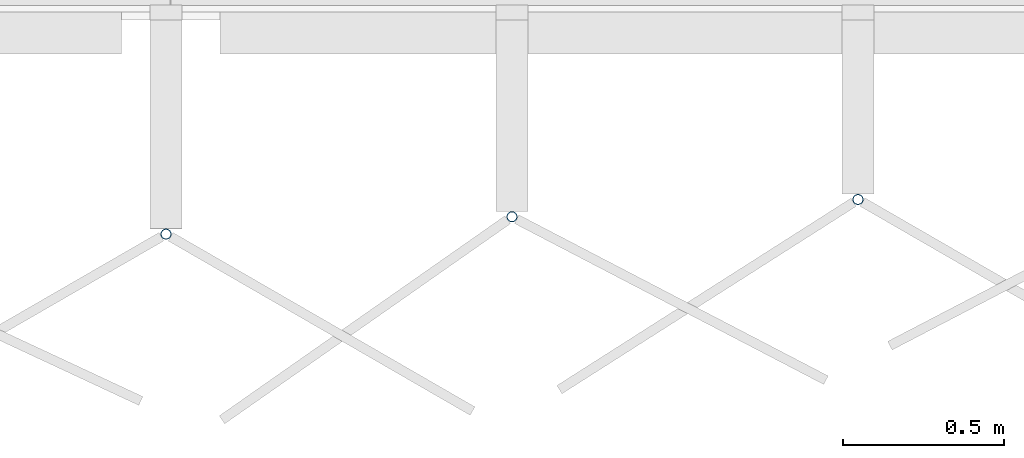
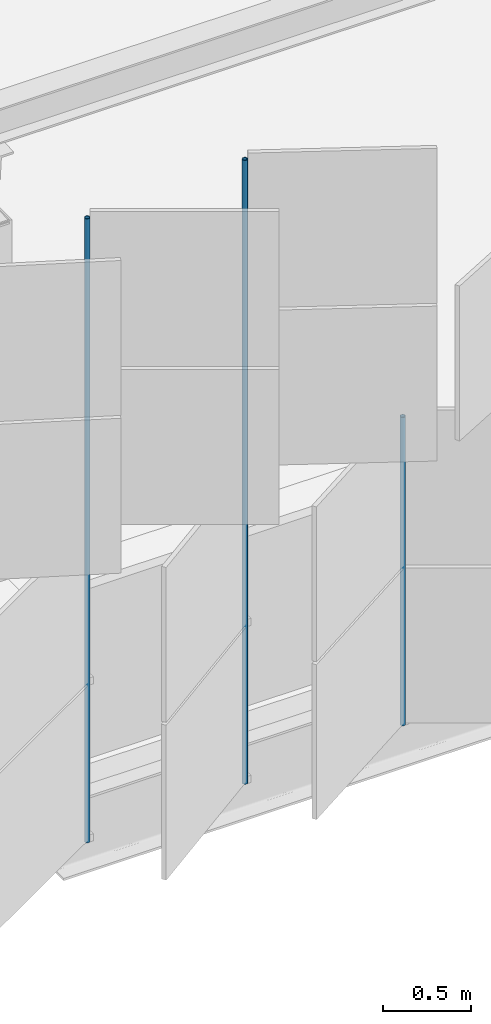
# One storey, part 134 of 483: 3 discrete accessories.
"""IFC4 building model written with IfcOpenShell, lengths in metres."""

from ifc_helpers import new_model, si_unit, direction, frame, origin, origin_2d, place, context, subcontext, project, spatial, hollow_circle, extrude, material, material_profile, profile_set, type_object, element, save


model = new_model("IFC4")

# Units and contexts
model_context = context("Model", 3, precision=1e-05, world=origin(), true_north=direction((0.0, 1.0)))
body_context = subcontext(model_context, "Body", "Model", "MODEL_VIEW")
ifc_project = project(units=[si_unit("LENGTHUNIT", "METRE"), si_unit("AREAUNIT", "SQUARE_METRE"), si_unit("VOLUMEUNIT", "CUBIC_METRE"), si_unit("PLANEANGLEUNIT", "RADIAN"), si_unit("MASSUNIT", "GRAM", prefix="KILO")], contexts=[model_context])

# Site, building, storey
site_placement = place(None, origin())
site = spatial("IfcSite", under=ifc_project, at=site_placement, CompositionType="ELEMENT")
building_placement = place(site_placement, origin())
building = spatial("IfcBuilding", under=site, at=building_placement, Name="Parallax Yard Mobility Hub", CompositionType="ELEMENT")
storey_placement = place(building_placement, frame((0.0, 0.0, 13.199951171875)))
storey = spatial("IfcBuildingStorey", under=building, at=storey_placement, Name="L04", CompositionType="ELEMENT", Elevation=13.199951171875)

# Discrete accessories
ifc_material = material(Name="Steel ASTM A500 Gr C, hot-dip galvanised", Category="steel")
ifc_material_profile = material_profile(ifc_material, hollow_circle(Radius=0.016845703125, WallThickness=0.003173828125, at=origin_2d()), Name="CHS 33.7x3.2")
ifc_profile_set = profile_set([ifc_material_profile], Name="Steel ASTM A500 Gr C, hot-dip galvanised")
discrete_accessory_type = type_object("IfcDiscreteAccessoryType", Name="Hinge post CHS 33.7x3.2", PredefinedType="BRACKET", material=ifc_profile_set)
for number, where, z_axis, x_axis, name in (
    (1, (37.48583984375, 111.83740234375, 0.0), (0.0, 0.0, 1.0), (1.0, 0.0, 0.0), "Hinge post bay 2.1 level L04"),
    (2, (38.557373046875, 111.89111328125, 0.0), (0.0, 0.0, 1.0), (1.0, 0.0, 0.0), "Hinge post bay 2.2 level L04"),
):
    element("IfcDiscreteAccessory", number, at=place(storey_placement, frame(where, z_axis=z_axis, x_axis=x_axis)), inside=storey, type_object=discrete_accessory_type, Name=name, PredefinedType="BRACKET", context=body_context, shape_type="SweptSolid", body=[
        extrude(hollow_circle(Radius=0.016845703125, WallThickness=0.003173828125, at=origin_2d()), origin(), (0.0, 0.0, 1.0), 4.35009765625),
    ])
discrete_accessory_placement = place(storey_placement, frame((39.62890625, 111.944580078125, 0.0), z_axis=(0.0, 0.0, 1.0), x_axis=(1.0, 0.0, 0.0)))
element("IfcDiscreteAccessory", 3, at=discrete_accessory_placement, inside=storey, type_object=discrete_accessory_type, Name="Hinge post bay 2.3 level L04", PredefinedType="BRACKET", context=body_context, shape_type="SweptSolid", body=[
    extrude(hollow_circle(Radius=0.016845703125, WallThickness=0.003173828125, at=origin_2d()), origin(), (0.0, 0.0, 1.0), 2.150146484375),
])

save(model, "model.ifc")
